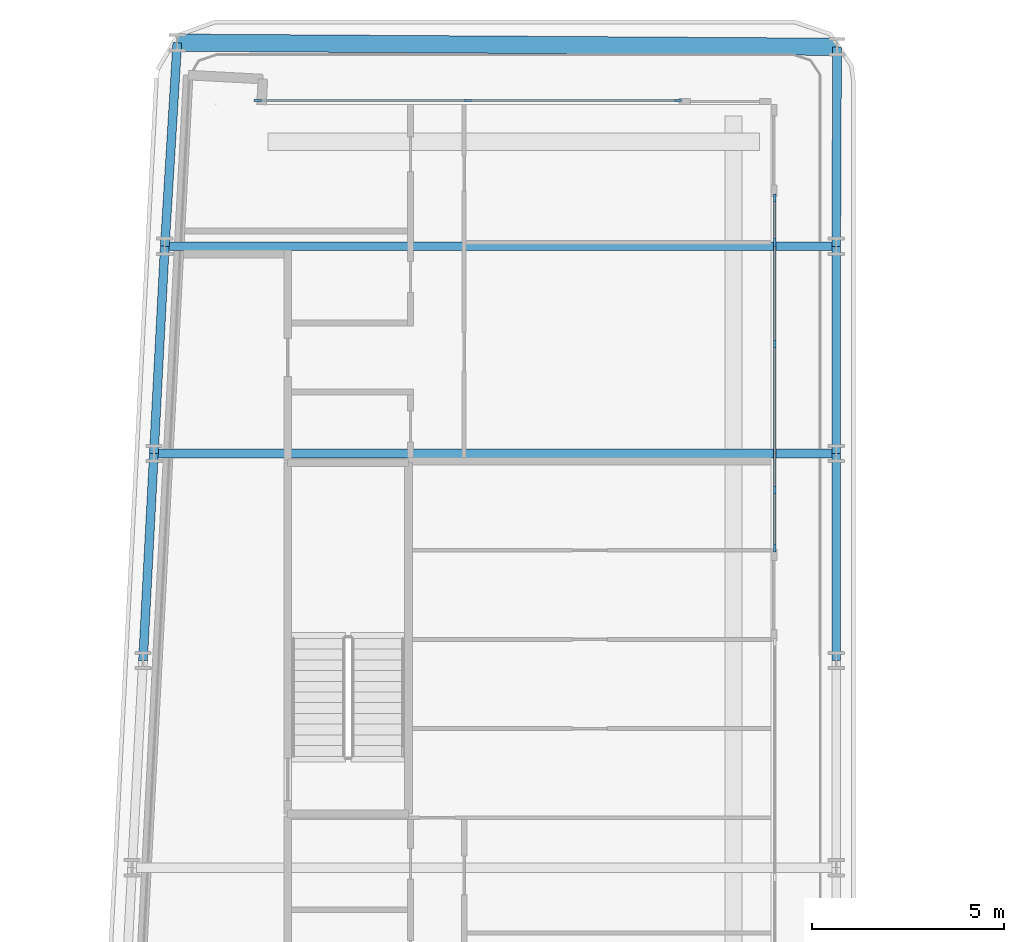
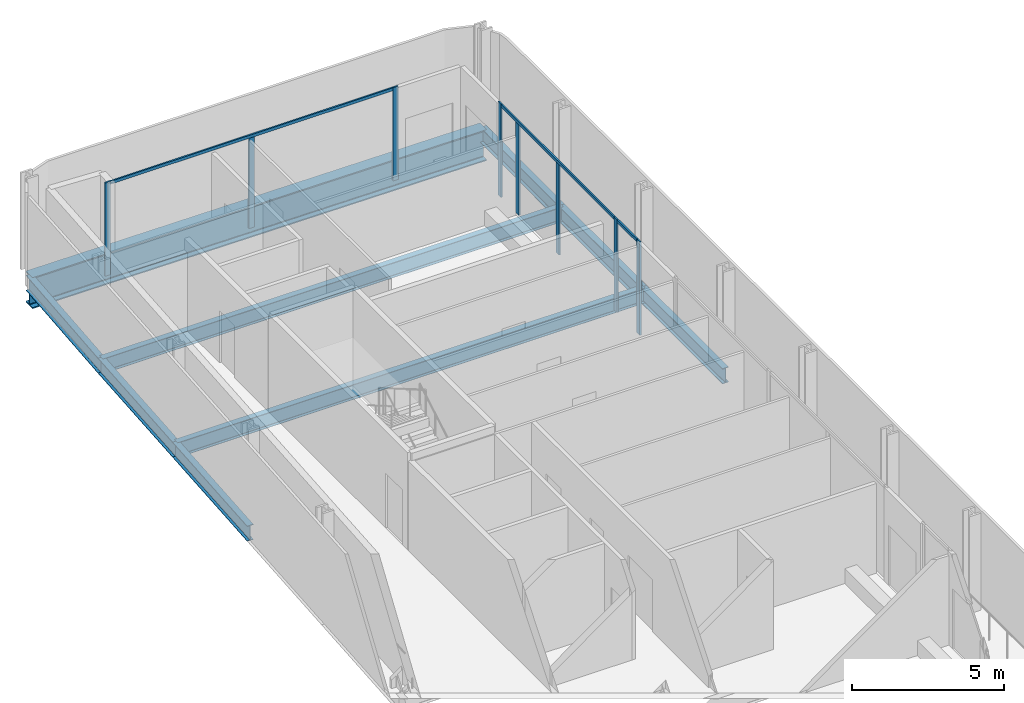
# One storey, part 9 of 28: 11 members, 9 beams, 3 elements without a shape of their own.
"""IFC4 building model written with IfcOpenShell, lengths in metres."""

from ifc_helpers import new_model, si_unit, direction, frame, origin, origin_2d, place, context, subcontext, project, spatial, rectangle, i_section, extrude, material, layer, layer_set, material_profile, profile_set, type_object, element, aggregate, save


model = new_model("IFC4")

# Units and contexts
model_context = context("Model", 3, precision=1e-05, world=origin(), true_north=direction((0.0, 1.0)))
body_context = subcontext(model_context, "Body", "Model", "MODEL_VIEW")
ifc_project = project(units=[si_unit("LENGTHUNIT", "METRE"), si_unit("AREAUNIT", "SQUARE_METRE"), si_unit("VOLUMEUNIT", "CUBIC_METRE"), si_unit("PLANEANGLEUNIT", "RADIAN"), si_unit("MASSUNIT", "GRAM", prefix="KILO")], contexts=[model_context])

# Site, building, storey
site_placement = place(None, origin())
site = spatial("IfcSite", under=ifc_project, at=site_placement, CompositionType="ELEMENT")
building_placement = place(site_placement, origin())
building = spatial("IfcBuilding", under=site, at=building_placement, Name="Kheshtan School and Residences Tower", CompositionType="ELEMENT")
storey_placement = place(building_placement, frame((0.0, 0.0, 42.199951171875)))
storey = spatial("IfcBuildingStorey", under=building, at=storey_placement, Name="L09", CompositionType="ELEMENT", Elevation=42.199951171875)

# Beams
ifc_material_1 = material(Name="Steel ASTM A992 Grade 50", Category="steel")
ifc_material_profile_1 = material_profile(ifc_material_1, i_section(OverallWidth=0.22802734375, OverallDepth=0.60302734375, WebThickness=0.010498046875, FlangeThickness=0.014892578125, FilletRadius=0.013427734375, at=origin_2d()), Name="W610x101")
ifc_profile_set_1 = profile_set([ifc_material_profile_1], Name="Steel ASTM A992 Grade 50")
beam_type_1 = type_object("IfcBeamType", Name="Beam FB5 W610x101 ASTM A992 Grade 50", PredefinedType="BEAM", material=ifc_profile_set_1)
beam_1_placement = place(storey_placement, frame((47.60009765625, 94.199951171875, -0.451416015625), z_axis=(-1.0, 0.0, 0.0), x_axis=(0.0, -1.0, 0.0)))
element("IfcBeam", 1, at=beam_1_placement, inside=storey, type_object=beam_type_1, Name="Floor beam C107", PredefinedType="BEAM", context=body_context, shape_type="SweptSolid", body=[
    extrude(i_section(OverallWidth=0.22802734375, OverallDepth=0.60302734375, WebThickness=0.010498046875, FlangeThickness=0.014892578125, FilletRadius=0.013427734375, at=origin_2d()), origin(), (0.0, 0.0, 1.0), 17.505126953125),
])
beam_2_placement = place(storey_placement, frame((29.81103515625, 88.800048828125, -0.451416015625), z_axis=(1.0, 0.0, 0.0), x_axis=(0.0, 1.0, 0.0)))
element("IfcBeam", 2, at=beam_2_placement, inside=storey, type_object=beam_type_1, Name="Floor beam C098", PredefinedType="BEAM", context=body_context, shape_type="SweptSolid", body=[
    extrude(i_section(OverallWidth=0.22802734375, OverallDepth=0.60302734375, WebThickness=0.010498046875, FlangeThickness=0.014892578125, FilletRadius=0.013427734375, at=origin_2d()), origin(), (0.0, 0.0, 1.0), 17.7890625),
])
ifc_material_profile_2 = material_profile(ifc_material_1, i_section(OverallWidth=0.22998046875, OverallDepth=0.616943359375, WebThickness=0.01318359375, FlangeThickness=0.022216796875, FilletRadius=0.0185546875, at=origin_2d()), Name="W610x140")
ifc_profile_set_2 = profile_set([ifc_material_profile_2], Name="Steel ASTM A992 Grade 50")
beam_type_2 = type_object("IfcBeamType", Name="Beam SP1 W610x140 ASTM A992 Grade 50", PredefinedType="BEAM", material=ifc_profile_set_2)
beam_3_placement = place(storey_placement, frame((47.6220703125, 99.40087890625, -0.45849609375), z_axis=(-0.004224719374, -0.999991075833, 0.0), x_axis=(0.999991075833, -0.004224719374, 0.0)))
element("IfcBeam", 3, at=beam_3_placement, inside=storey, type_object=beam_type_2, Name="Spandrel beam C111-C107", PredefinedType="BEAM", context=body_context, shape_type="SweptSolid", body=[
    extrude(i_section(OverallWidth=0.22998046875, OverallDepth=0.616943359375, WebThickness=0.01318359375, FlangeThickness=0.022216796875, FilletRadius=0.0185546875, at=origin_2d()), origin(), (0.0, 0.0, 1.0), 5.200927734375),
])
beam_4_placement = place(storey_placement, frame((47.60009765625, 94.199951171875, -0.45849609375), z_axis=(0.0, -1.0, 0.0), x_axis=(1.0, 0.0, 0.0)))
element("IfcBeam", 4, at=beam_4_placement, inside=storey, type_object=beam_type_2, Name="Spandrel beam C107-C099", PredefinedType="BEAM", context=body_context, shape_type="SweptSolid", body=[
    extrude(i_section(OverallWidth=0.22998046875, OverallDepth=0.616943359375, WebThickness=0.01318359375, FlangeThickness=0.022216796875, FilletRadius=0.0185546875, at=origin_2d()), origin(), (0.0, 0.0, 1.0), 5.39990234375),
])
beam_5_placement = place(storey_placement, frame((47.60009765625, 88.800048828125, -0.45849609375), z_axis=(0.0, -1.0, 0.0), x_axis=(1.0, 0.0, 0.0)))
element("IfcBeam", 5, at=beam_5_placement, inside=storey, type_object=beam_type_2, Name="Spandrel beam C099-C091", PredefinedType="BEAM", context=body_context, shape_type="SweptSolid", body=[
    extrude(i_section(OverallWidth=0.22998046875, OverallDepth=0.616943359375, WebThickness=0.01318359375, FlangeThickness=0.022216796875, FilletRadius=0.0185546875, at=origin_2d()), origin(), (0.0, 0.0, 1.0), 5.400146484375),
])
beam_6_placement = place(storey_placement, frame((29.527099609375, 83.39990234375, -0.45849609375), z_axis=(0.05250670125, 0.998620571751, 0.0), x_axis=(-0.998620571751, 0.05250670125, 0.0)))
element("IfcBeam", 6, at=beam_6_placement, inside=storey, type_object=beam_type_2, Name="Spandrel beam C090-C098", PredefinedType="BEAM", context=body_context, shape_type="SweptSolid", body=[
    extrude(i_section(OverallWidth=0.22998046875, OverallDepth=0.616943359375, WebThickness=0.01318359375, FlangeThickness=0.022216796875, FilletRadius=0.0185546875, at=origin_2d()), origin(), (0.0, 0.0, 1.0), 5.40771484375),
])
beam_7_placement = place(storey_placement, frame((29.81103515625, 88.800048828125, -0.45849609375), z_axis=(0.05250906864, 0.998620447272, 0.0), x_axis=(-0.998620447272, 0.05250906864, 0.0)))
element("IfcBeam", 7, at=beam_7_placement, inside=storey, type_object=beam_type_2, Name="Spandrel beam C098-C106", PredefinedType="BEAM", context=body_context, shape_type="SweptSolid", body=[
    extrude(i_section(OverallWidth=0.22998046875, OverallDepth=0.616943359375, WebThickness=0.01318359375, FlangeThickness=0.022216796875, FilletRadius=0.0185546875, at=origin_2d()), origin(), (0.0, 0.0, 1.0), 5.407470703125),
])
beam_8_placement = place(storey_placement, frame((30.094970703125, 94.199951171875, -0.45849609375), z_axis=(0.061275241914, 0.998120906869, 0.0), x_axis=(-0.998120906869, 0.061275241914, 0.0)))
element("IfcBeam", 8, at=beam_8_placement, inside=storey, type_object=beam_type_2, Name="Spandrel beam C106-C120", PredefinedType="BEAM", context=body_context, shape_type="SweptSolid", body=[
    extrude(i_section(OverallWidth=0.22998046875, OverallDepth=0.616943359375, WebThickness=0.01318359375, FlangeThickness=0.022216796875, FilletRadius=0.0185546875, at=origin_2d()), origin(), (0.0, 0.0, 1.0), 5.319091796875),
])

# Curtain wall, members
ifc_material_2 = material(Name="Clear low-e glass in thermally broken aluminium frame", Category="aluminium")
ifc_layer = layer(ifc_material_2, 0.199951171875)
ifc_layer_set = layer_set([ifc_layer], Name="Curtain wall CW-L")
curtain_wall_type = type_object("IfcCurtainWallType", Name="Curtain wall CW-L", PredefinedType="NOTDEFINED", material=ifc_layer_set)
curtain_wall_1_placement = place(storey_placement, origin())
curtain_wall_1 = element("IfcCurtainWall", 9, at=curtain_wall_1_placement, inside=storey, type_object=curtain_wall_type, Name="Curtain wall CWL7", PredefinedType="NOTDEFINED")
ifc_material_3 = material(Name="Thermally broken aluminium, dark bronze anodised", Category="aluminium")
ifc_material_profile_3 = material_profile(ifc_material_3, rectangle(XDim=0.06005859375, YDim=0.199951171875, at=origin_2d()), Name="CW-L mullion 60x200")
ifc_profile_set_3 = profile_set([ifc_material_profile_3], Name="Thermally broken aluminium, dark bronze anodised")
member_type_1 = type_object("IfcMemberType", Name="CW-L mullion 60x200", PredefinedType="MULLION", material=ifc_profile_set_3)
member_1_placement = place(storey_placement, frame((32.52197265625, 98.0, 0.0), z_axis=(0.0, 0.0, 1.0), x_axis=(0.0, 1.0, 0.0)))
member_1 = element("IfcMember", 10, at=member_1_placement, type_object=member_type_1, Name="CWL7 mullion 1", PredefinedType="MULLION", context=body_context, shape_type="SweptSolid", body=[
    extrude(rectangle(XDim=0.06005859375, YDim=0.199951171875, at=origin_2d()), origin(), (0.0, 0.0, 1.0), 3.75),
])
member_2_placement = place(storey_placement, frame((37.99609375, 98.0, 0.0), z_axis=(0.0, 0.0, 1.0), x_axis=(0.0, 1.0, 0.0)))
member_2 = element("IfcMember", 11, at=member_2_placement, type_object=member_type_1, Name="CWL7 mullion 2", PredefinedType="MULLION", context=body_context, shape_type="SweptSolid", body=[
    extrude(rectangle(XDim=0.06005859375, YDim=0.199951171875, at=origin_2d()), origin(), (0.0, 0.0, 1.0), 3.630126953125),
])
member_3_placement = place(storey_placement, frame((43.469970703125, 98.0, 0.0), z_axis=(0.0, 0.0, 1.0), x_axis=(0.0, 1.0, 0.0)))
member_3 = element("IfcMember", 12, at=member_3_placement, type_object=member_type_1, Name="CWL7 mullion 3", PredefinedType="MULLION", context=body_context, shape_type="SweptSolid", body=[
    extrude(rectangle(XDim=0.06005859375, YDim=0.199951171875, at=origin_2d()), origin(), (0.0, 0.0, 1.0), 3.75),
])

curtain_wall_2_placement = place(storey_placement, origin())
curtain_wall_2 = element("IfcCurtainWall", 13, at=curtain_wall_2_placement, inside=storey, type_object=curtain_wall_type, Name="Curtain wall CWL8c", PredefinedType="NOTDEFINED")
member_4_placement = place(storey_placement, frame((46.0, 95.469970703125, 0.0), z_axis=(0.0, 0.0, 1.0), x_axis=(1.0, 0.0, 0.0)))
member_4 = element("IfcMember", 14, at=member_4_placement, type_object=member_type_1, Name="CWL8c mullion 1", PredefinedType="MULLION", context=body_context, shape_type="SweptSolid", body=[
    extrude(rectangle(XDim=0.06005859375, YDim=0.199951171875, at=origin_2d()), origin(), (0.0, 0.0, 1.0), 3.75),
])
member_5_placement = place(storey_placement, frame((46.0, 94.300048828125, 0.0), z_axis=(0.0, 0.0, 1.0), x_axis=(1.0, 0.0, 0.0)))
member_5 = element("IfcMember", 15, at=member_5_placement, type_object=member_type_1, Name="CWL8c mullion 2", PredefinedType="MULLION", context=body_context, shape_type="SweptSolid", body=[
    extrude(rectangle(XDim=0.06005859375, YDim=0.199951171875, at=origin_2d()), origin(), (0.0, 0.0, 1.0), 3.630126953125),
])
member_6_placement = place(storey_placement, frame((46.0, 91.653076171875, 0.0), z_axis=(0.0, 0.0, 1.0), x_axis=(1.0, 0.0, 0.0)))
member_6 = element("IfcMember", 16, at=member_6_placement, type_object=member_type_1, Name="CWL8c mullion 3", PredefinedType="MULLION", context=body_context, shape_type="SweptSolid", body=[
    extrude(rectangle(XDim=0.06005859375, YDim=0.199951171875, at=origin_2d()), origin(), (0.0, 0.0, 1.0), 3.630126953125),
])
member_7_placement = place(storey_placement, frame((46.0, 87.8359375, 0.0), z_axis=(0.0, 0.0, 1.0), x_axis=(1.0, 0.0, 0.0)))
member_7 = element("IfcMember", 17, at=member_7_placement, type_object=member_type_1, Name="CWL8c mullion 4", PredefinedType="MULLION", context=body_context, shape_type="SweptSolid", body=[
    extrude(rectangle(XDim=0.06005859375, YDim=0.199951171875, at=origin_2d()), origin(), (0.0, 0.0, 1.0), 3.75),
])

# Curtain wall, member
curtain_wall_3_placement = place(storey_placement, origin())
curtain_wall_3 = element("IfcCurtainWall", 18, at=curtain_wall_3_placement, inside=storey, type_object=curtain_wall_type, Name="Curtain wall CWL8a", PredefinedType="NOTDEFINED")
member_8_placement = place(storey_placement, frame((46.0, 86.3359375, 0.0), z_axis=(0.0, 0.0, 1.0), x_axis=(1.0, 0.0, 0.0)))
member_8 = element("IfcMember", 19, at=member_8_placement, type_object=member_type_1, Name="CWL8a mullion 2", PredefinedType="MULLION", context=body_context, shape_type="SweptSolid", body=[
    extrude(rectangle(XDim=0.06005859375, YDim=0.199951171875, at=origin_2d()), origin(), (0.0, 0.0, 1.0), 3.75),
])

# Member
ifc_material_profile_4 = material_profile(ifc_material_3, rectangle(XDim=0.06005859375, YDim=0.1201171875, at=origin_2d()), Name="CW-L transom 60x120")
ifc_profile_set_4 = profile_set([ifc_material_profile_4], Name="Thermally broken aluminium, dark bronze anodised")
member_type_2 = type_object("IfcMemberType", Name="CW-L transom 60x120", PredefinedType="USERDEFINED", material=ifc_profile_set_4)
member_9_placement = place(storey_placement, frame((32.552001953125, 98.0, 3.68994140625), z_axis=(1.0, 0.0, 0.0), x_axis=(0.0, 1.0, 0.0)))
member_9 = element("IfcMember", 20, at=member_9_placement, type_object=member_type_2, Name="CWL7 transom 1", ObjectType="TRANSOM", PredefinedType="USERDEFINED", context=body_context, shape_type="SweptSolid", body=[
    extrude(rectangle(XDim=0.06005859375, YDim=0.1201171875, at=origin_2d()), origin(), (0.0, 0.0, 1.0), 10.887939453125),
])

aggregate(curtain_wall_1, [member_1, member_2, member_3, member_9])

member_10_placement = place(storey_placement, frame((46.0, 95.43994140625, 3.68994140625), z_axis=(0.0, -1.0, 0.0), x_axis=(1.0, 0.0, 0.0)))
member_10 = element("IfcMember", 21, at=member_10_placement, type_object=member_type_2, Name="CWL8c transom 1", ObjectType="TRANSOM", PredefinedType="USERDEFINED", context=body_context, shape_type="SweptSolid", body=[
    extrude(rectangle(XDim=0.06005859375, YDim=0.1201171875, at=origin_2d()), origin(), (0.0, 0.0, 1.0), 7.573974609375),
])

aggregate(curtain_wall_2, [member_4, member_5, member_6, member_7, member_10])

member_11_placement = place(storey_placement, frame((46.0, 87.805908203125, 3.68994140625), z_axis=(0.0, -1.0, 0.0), x_axis=(1.0, 0.0, 0.0)))
member_11 = element("IfcMember", 22, at=member_11_placement, type_object=member_type_2, Name="CWL8a transom 1", ObjectType="TRANSOM", PredefinedType="USERDEFINED", context=body_context, shape_type="SweptSolid", body=[
    extrude(rectangle(XDim=0.06005859375, YDim=0.1201171875, at=origin_2d()), origin(), (0.0, 0.0, 1.0), 1.43994140625),
])

aggregate(curtain_wall_3, [member_8, member_11])

# Beam
ifc_material_profile_5 = material_profile(ifc_material_1, i_section(OverallWidth=0.449951171875, OverallDepth=1.25, WebThickness=0.02490234375, FlangeThickness=0.044921875, FilletRadius=0.03759765625, at=origin_2d()), Name="WWF1250x546")
ifc_profile_set_5 = profile_set([ifc_material_profile_5], Name="Steel ASTM A992 Grade 50")
beam_type_3 = type_object("IfcBeamType", Name="Transfer girder TG4 WWF1250x546 ASTM A992 Grade 50", PredefinedType="BEAM", material=ifc_profile_set_5)
beam_9_placement = place(storey_placement, frame((30.4208984375, 99.509033203125, -0.77490234375), z_axis=(0.999980233553, -0.006287487843, 0.0), x_axis=(0.006287487843, 0.999980233553, 0.0)))
element("IfcBeam", 23, at=beam_9_placement, inside=storey, type_object=beam_type_3, Name="Transfer girder C120-C111", PredefinedType="BEAM", context=body_context, shape_type="SweptSolid", body=[
    extrude(i_section(OverallWidth=0.449951171875, OverallDepth=1.25, WebThickness=0.02490234375, FlangeThickness=0.044921875, FilletRadius=0.03759765625, at=origin_2d()), origin(), (0.0, 0.0, 1.0), 17.201416015625),
])

save(model, "model.ifc")
